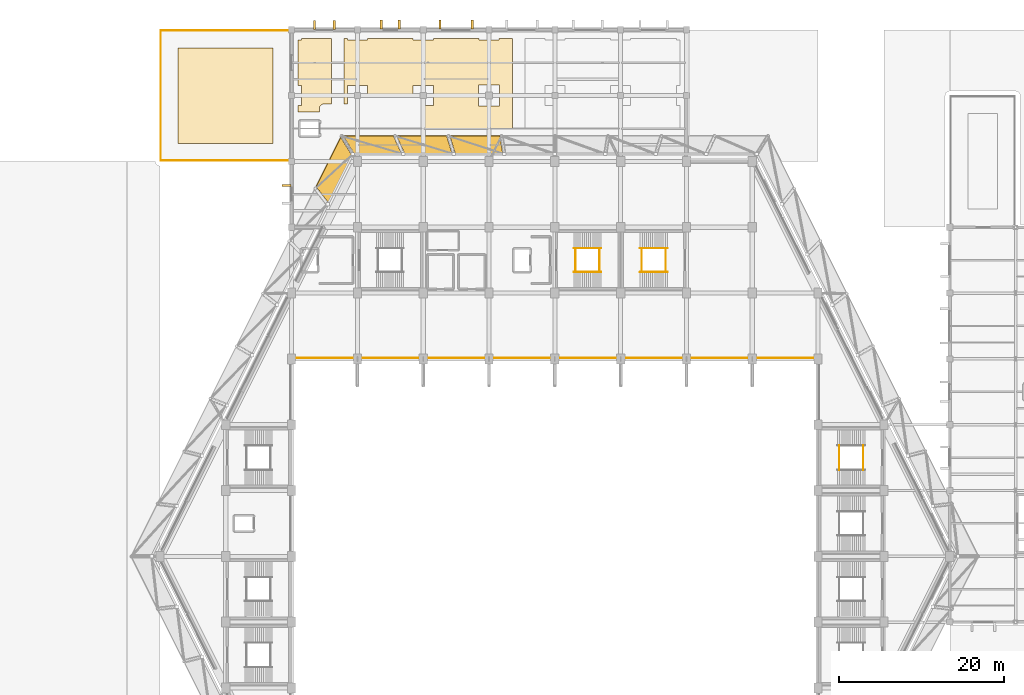
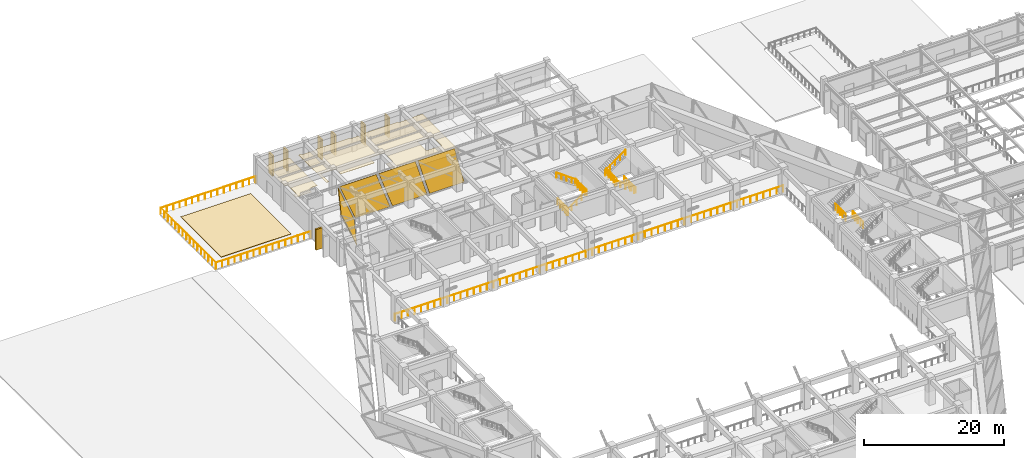
# One storey, part 44 of 46: 14 coverings, 14 railings.
"""IFC4 building model written with IfcOpenShell, lengths in metres."""

from ifc_helpers import new_model, si_unit, direction, frame, origin, origin_2d, place, context, subcontext, project, spatial, polyline, rectangle, circle, outline, extrude, material, layer, layer_set, type_object, element, save


model = new_model("IFC4")

# Units and contexts
model_context = context("Model", 3, precision=1e-05, world=origin(), true_north=direction((0.0, 1.0)))
body_context = subcontext(model_context, "Body", "Model", "MODEL_VIEW")
ifc_project = project(units=[si_unit("LENGTHUNIT", "METRE"), si_unit("AREAUNIT", "SQUARE_METRE"), si_unit("VOLUMEUNIT", "CUBIC_METRE"), si_unit("PLANEANGLEUNIT", "RADIAN"), si_unit("MASSUNIT", "GRAM", prefix="KILO")], contexts=[model_context])

# Site, building, storey
site_placement = place(None, origin())
site = spatial("IfcSite", under=ifc_project, at=site_placement, CompositionType="ELEMENT")
building_placement = place(site_placement, origin())
building = spatial("IfcBuilding", under=site, at=building_placement, Name="Tazarka Park Arena", CompositionType="ELEMENT")
storey_placement = place(building_placement, frame((0.0, 0.0, 10.199951171875)))
storey = spatial("IfcBuildingStorey", under=building, at=storey_placement, Name="L02", CompositionType="ELEMENT", Elevation=10.199951171875)

# Coverings
ifc_material_1 = material(Name="Dark ribbed perforated bronze-charcoal aluminium mesh", Category="aluminium")
ifc_layer_1 = layer(ifc_material_1, 0.06005859375, Name="Dark ribbed perforated bronze-charcoal aluminium mesh")
ifc_layer_set_1 = layer_set([ifc_layer_1], Name="Dark ribbed perforated bronze-charcoal aluminium mesh")
covering_type_1 = type_object("IfcCoveringType", Name="CLD-01", PredefinedType="CLADDING", material=ifc_layer_set_1)
covering_1_placement = place(storey_placement, frame((81.66455078125, 112.89990234375, 0.150146484375), z_axis=(0.0, -0.903917504801, 0.427706844128), x_axis=(-1.0, 0.0, 0.0)))
element("IfcCovering", 1, at=covering_1_placement, inside=storey, type_object=covering_type_1, Name="Folded Gem Lower Ribbed Mesh Facet 030", PredefinedType="CLADDING", context=body_context, shape_type="SweptSolid", body=[
    extrude(outline(polyline([(0.0, 0.0), (5.746337890625, 0.0), (6.4150390625, -5.144166717706446), (0.350830078125, -5.144166717706446), (0.0, 0.0)])), origin(), (0.0, 0.0, -1.0), 0.080078125),
])
covering_2_placement = place(storey_placement, frame((75.525390625, 112.89990234375, 0.150146484375), z_axis=(0.0, -0.903917504801, 0.427706844128), x_axis=(-1.0, 0.0, 0.0)))
element("IfcCovering", 2, at=covering_2_placement, inside=storey, type_object=covering_type_1, Name="Folded Gem Lower Ribbed Mesh Facet 031", PredefinedType="CLADDING", context=body_context, shape_type="SweptSolid", body=[
    extrude(outline(polyline([(0.0, 0.0), (5.74609375, 0.0), (6.7548828125, -5.144166717706446), (0.690673828125, -5.144166717706446), (0.0, 0.0)])), origin(), (0.0, 0.0, -1.0), 0.080078125),
])
covering_3_placement = place(storey_placement, frame((69.386474609375, 112.89990234375, 0.150146484375), z_axis=(0.0, -0.903917504801, 0.427706844128), x_axis=(-1.0, 0.0, 0.0)))
element("IfcCovering", 3, at=covering_3_placement, inside=storey, type_object=covering_type_1, Name="Folded Gem Lower Ribbed Mesh Facet 032", PredefinedType="CLADDING", context=body_context, shape_type="SweptSolid", body=[
    extrude(outline(polyline([(0.0, 0.0), (5.746337890625, 0.0), (7.094970703125, -5.144166717706446), (1.03076171875, -5.144166717706446), (0.0, 0.0)])), origin(), (0.0, 0.0, -1.0), 0.080078125),
])
covering_4_placement = place(storey_placement, frame((63.345947265625, 112.704345703125, 0.150146484375), z_axis=(0.808506336195, -0.404253168098, 0.427664448388), x_axis=(-0.4472135955, -0.894427191, 0.0)))
element("IfcCovering", 4, at=covering_4_placement, inside=storey, type_object=covering_type_1, Name="Folded Gem Lower Ribbed Mesh Facet 033", PredefinedType="CLADDING", context=body_context, shape_type="SweptSolid", body=[
    extrude(outline(polyline([(0.0, 0.0), (6.3964864483313075, 0.0), (5.334354159018908, -5.144052564035382), (-1.3498295120034132, -5.144052564035382), (0.0, 0.0)])), origin(), (0.0, 0.0, -1.0), 0.080078125),
])
for number, where, z_axis, x_axis, name in (
    (5, (74.044921875, 128.6298828125, 0.0), (0.0, 0.0, 1.0), (1.0, 0.0, 0.0), "Window Reveal Brise-Soleil Fin L02-0034-1"),
    (6, (77.955078125, 128.6298828125, 0.0), (0.0, 0.0, 1.0), (1.0, 0.0, 0.0), "Window Reveal Brise-Soleil Fin L02-0034-2"),
    (7, (66.89501953125, 128.639892578125, 0.0), (0.0, 0.0, 1.0), (1.0, 0.0, 0.0), "Window Reveal Brise-Soleil Fin L02-0035-1"),
    (8, (69.10498046875, 128.639892578125, 0.0), (0.0, 0.0, 1.0), (1.0, 0.0, 0.0), "Window Reveal Brise-Soleil Fin L02-0035-2"),
    (9, (58.794921875, 128.590087890625, 0.0), (0.0, 0.0, 1.0), (1.0, 0.0, 0.0), "Window Reveal Brise-Soleil Fin L02-0036-1"),
    (10, (61.205078125, 128.590087890625, 0.0), (0.0, 0.0, 1.0), (1.0, 0.0, 0.0), "Window Reveal Brise-Soleil Fin L02-0036-2"),
    (11, (55.385009765625, 109.080078125, 0.0), (0.0, 0.0, 1.0), (0.0, 1.0, 0.0), "Window Reveal Brise-Soleil Fin L02-0037-2"),
):
    element("IfcCovering", number, at=place(storey_placement, frame(where, z_axis=z_axis, x_axis=x_axis)), inside=storey, type_object=covering_type_1, Name=name, PredefinedType="CLADDING", context=body_context, shape_type="SweptSolid", body=[
        extrude(rectangle(XDim=0.280029296875, YDim=1.10009765625, at=origin_2d()), origin(), (0.0, 0.0, 1.0), 3.60009765625),
    ])
ifc_material_2 = material(Name="Perforated acoustic mineral-wool ceiling tile")
ifc_layer_2 = layer(ifc_material_2, 0.0400390625, Name="Perforated acoustic mineral-wool ceiling tile")
ifc_layer_set_2 = layer_set([ifc_layer_2], Name="Perforated acoustic mineral-wool ceiling tile")
covering_type_2 = type_object("IfcCoveringType", Name="CLG-01", PredefinedType="CEILING", material=ifc_layer_set_2)
covering_5_placement = place(storey_placement, frame((0.0, 0.0, 3.10009765625)))
element("IfcCovering", 12, at=covering_5_placement, inside=storey, type_object=covering_type_2, Name="Acoustic Ceiling Hospitality Suite 202 7", PredefinedType="CEILING", context=body_context, shape_type="SweptSolid", body=[
    extrude(outline(polyline([(62.77490234375, 126.949951171875), (62.77490234375, 126.77490234375), (65.22509765625, 126.77490234375), (65.22509765625, 126.949951171875), (70.77490234375, 126.949951171875), (70.77490234375, 126.77490234375), (73.22509765625, 126.77490234375), (73.22509765625, 126.949951171875), (78.77490234375, 126.949951171875), (78.77490234375, 126.77490234375), (81.22509765625, 126.77490234375), (81.22509765625, 126.949951171875), (82.85009765625, 126.949951171875), (82.85009765625, 115.949951171875), (72.10009765625, 115.949951171875), (72.10009765625, 118.77490234375), (73.22509765625, 118.77490234375), (73.22509765625, 121.22509765625), (70.77490234375, 121.22509765625), (70.77490234375, 119.800048828125), (65.22509765625, 119.800048828125), (65.22509765625, 121.22509765625), (62.77490234375, 121.22509765625), (62.77490234375, 118.989501953125), (62.35009765625, 118.98974609375), (62.35009765625, 126.949951171875), (62.77490234375, 126.949951171875)]), holes=[polyline([(78.72509765625, 121.27490234375), (78.72509765625, 118.72509765625), (81.27490234375, 118.72509765625), (81.27490234375, 121.27490234375), (78.72509765625, 121.27490234375)])]), origin(), (0.0, 0.0, 1.0), 0.0400390625),
])
ifc_material_3 = material(Name="Linear slatted timber-acoustic ceiling", Category="wood")
ifc_layer_3 = layer(ifc_material_3, 0.050048828125, Name="Linear slatted timber-acoustic ceiling")
ifc_layer_set_3 = layer_set([ifc_layer_3], Name="Linear slatted timber-acoustic ceiling")
covering_type_3 = type_object("IfcCoveringType", Name="CLG-02", PredefinedType="CEILING", material=ifc_layer_set_3)
covering_6_placement = place(storey_placement, frame((0.0, 0.0, 3.10009765625)))
element("IfcCovering", 13, at=covering_6_placement, inside=storey, type_object=covering_type_3, Name="Acoustic Ceiling Hospitality Suite 201 6", PredefinedType="CEILING", context=body_context, shape_type="SweptSolid", body=[
    extrude(outline(polyline([(59.93603515625, 118.9892578125), (59.89208984375, 118.987060546875), (59.848388671875, 118.980712890625), (59.8056640625, 118.969970703125), (59.76416015625, 118.955078125), (59.724365234375, 118.936279296875), (59.686279296875, 118.91357421875), (59.57666015625, 118.84033203125), (59.541259765625, 118.814208984375), (59.5087890625, 118.78466796875), (59.479248046875, 118.752197265625), (59.452880859375, 118.716796875), (59.430419921875, 118.67919921875), (59.411376953125, 118.6396484375), (59.396484375, 118.598388671875), (59.385498046875, 118.555908203125), (59.37890625, 118.512451171875), (59.37646484375, 118.468505859375), (59.373779296875, 118.0), (56.800048828125, 118.0), (56.800048828125, 118.77490234375), (57.22509765625, 118.77490234375), (57.22509765625, 121.22509765625), (56.800048828125, 121.22509765625), (56.800048828125, 126.77490234375), (57.22509765625, 126.77490234375), (57.22509765625, 126.949951171875), (60.85009765625, 126.949951171875), (60.85009765625, 118.98974609375), (59.93603515625, 118.9892578125)])), origin(), (0.0, 0.0, 1.0), 0.050048828125),
])

# Railings
ifc_material_4 = material(Name="Galvanised powder-coated architectural steel", Category="steel")
railing_type_1 = type_object("IfcRailingType", Name="GRD-01", PredefinedType="GUARDRAIL", material=ifc_material_4)
railing_1_placement = place(storey_placement, frame((40.10009765625, 112.10009765625, 0.0)))
element("IfcRailing", 14, at=railing_1_placement, inside=storey, type_object=railing_type_1, Name="Terrace Guardrail GR-01-L02-1-00", PredefinedType="GUARDRAIL", context=body_context, shape_type="SweptSolid", body=[
    extrude(circle(Radius=0.02392578125, at=origin_2d()), frame((0.0, 0.0, 1.09619140625), z_axis=(0.0, 1.0, 0.0), x_axis=(-1.0, 0.0, 0.0)), (0.0, 0.0, 1.0), 15.7998046875),
    extrude(circle(Radius=0.02099609375, at=origin_2d()), origin(), (0.0, 0.0, 1.0), 1.072021484375),
    extrude(circle(Radius=0.02099609375, at=origin_2d()), frame((0.0, 1.05322265625, 0.0)), (0.0, 0.0, 1.0), 1.072021484375),
    extrude(circle(Radius=0.02099609375, at=origin_2d()), frame((0.0, 2.106689453125, 0.0)), (0.0, 0.0, 1.0), 1.072021484375),
    extrude(circle(Radius=0.02099609375, at=origin_2d()), frame((0.0, 3.159912109375, 0.0)), (0.0, 0.0, 1.0), 1.072021484375),
    extrude(circle(Radius=0.02099609375, at=origin_2d()), frame((0.0, 4.21337890625, 0.0)), (0.0, 0.0, 1.0), 1.072021484375),
    extrude(circle(Radius=0.02099609375, at=origin_2d()), frame((0.0, 5.2666015625, 0.0)), (0.0, 0.0, 1.0), 1.072021484375),
    extrude(circle(Radius=0.02099609375, at=origin_2d()), frame((0.0, 6.31982421875, 0.0)), (0.0, 0.0, 1.0), 1.072021484375),
    extrude(circle(Radius=0.02099609375, at=origin_2d()), frame((0.0, 7.373291015625, 0.0)), (0.0, 0.0, 1.0), 1.072021484375),
    extrude(circle(Radius=0.02099609375, at=origin_2d()), frame((0.0, 8.426513671875, 0.0)), (0.0, 0.0, 1.0), 1.072021484375),
    extrude(circle(Radius=0.02099609375, at=origin_2d()), frame((0.0, 9.47998046875, 0.0)), (0.0, 0.0, 1.0), 1.072021484375),
    extrude(circle(Radius=0.02099609375, at=origin_2d()), frame((0.0, 10.533203125, 0.0)), (0.0, 0.0, 1.0), 1.072021484375),
    extrude(circle(Radius=0.02099609375, at=origin_2d()), frame((0.0, 11.58642578125, 0.0)), (0.0, 0.0, 1.0), 1.072021484375),
    extrude(circle(Radius=0.02099609375, at=origin_2d()), frame((0.0, 12.639892578125, 0.0)), (0.0, 0.0, 1.0), 1.072021484375),
    extrude(circle(Radius=0.02099609375, at=origin_2d()), frame((0.0, 13.693115234375, 0.0)), (0.0, 0.0, 1.0), 1.072021484375),
    extrude(circle(Radius=0.02099609375, at=origin_2d()), frame((0.0, 14.74658203125, 0.0)), (0.0, 0.0, 1.0), 1.072021484375),
    extrude(circle(Radius=0.02099609375, at=origin_2d()), frame((0.0, 15.7998046875, 0.0)), (0.0, 0.0, 1.0), 1.072021484375),
])
railing_2_placement = place(storey_placement, frame((40.10009765625, 127.89990234375, 0.0)))
element("IfcRailing", 15, at=railing_2_placement, inside=storey, type_object=railing_type_1, Name="Terrace Guardrail GR-01-L02-1-01", PredefinedType="GUARDRAIL", context=body_context, shape_type="SweptSolid", body=[
    extrude(circle(Radius=0.02392578125, at=origin_2d()), frame((0.0, 0.0, 1.09619140625), z_axis=(1.0, 0.0, 0.0), x_axis=(0.0, 1.0, 0.0)), (0.0, 0.0, 1.0), 15.679931640625),
    extrude(circle(Radius=0.02099609375, at=origin_2d()), origin(), (0.0, 0.0, 1.0), 1.072021484375),
    extrude(circle(Radius=0.02099609375, at=origin_2d()), frame((1.04541015625, 0.0, 0.0)), (0.0, 0.0, 1.0), 1.072021484375),
    extrude(circle(Radius=0.02099609375, at=origin_2d()), frame((2.090576171875, 0.0, 0.0)), (0.0, 0.0, 1.0), 1.072021484375),
    extrude(circle(Radius=0.02099609375, at=origin_2d()), frame((3.135986328125, 0.0, 0.0)), (0.0, 0.0, 1.0), 1.072021484375),
    extrude(circle(Radius=0.02099609375, at=origin_2d()), frame((4.181396484375, 0.0, 0.0)), (0.0, 0.0, 1.0), 1.072021484375),
    extrude(circle(Radius=0.02099609375, at=origin_2d()), frame((5.2265625, 0.0, 0.0)), (0.0, 0.0, 1.0), 1.072021484375),
    extrude(circle(Radius=0.02099609375, at=origin_2d()), frame((6.27197265625, 0.0, 0.0)), (0.0, 0.0, 1.0), 1.072021484375),
    extrude(circle(Radius=0.02099609375, at=origin_2d()), frame((7.3173828125, 0.0, 0.0)), (0.0, 0.0, 1.0), 1.072021484375),
    extrude(circle(Radius=0.02099609375, at=origin_2d()), frame((8.362548828125, 0.0, 0.0)), (0.0, 0.0, 1.0), 1.072021484375),
    extrude(circle(Radius=0.02099609375, at=origin_2d()), frame((9.407958984375, 0.0, 0.0)), (0.0, 0.0, 1.0), 1.072021484375),
    extrude(circle(Radius=0.02099609375, at=origin_2d()), frame((10.453369140625, 0.0, 0.0)), (0.0, 0.0, 1.0), 1.072021484375),
    extrude(circle(Radius=0.02099609375, at=origin_2d()), frame((11.49853515625, 0.0, 0.0)), (0.0, 0.0, 1.0), 1.072021484375),
    extrude(circle(Radius=0.02099609375, at=origin_2d()), frame((12.5439453125, 0.0, 0.0)), (0.0, 0.0, 1.0), 1.072021484375),
    extrude(circle(Radius=0.02099609375, at=origin_2d()), frame((13.58935546875, 0.0, 0.0)), (0.0, 0.0, 1.0), 1.072021484375),
    extrude(circle(Radius=0.02099609375, at=origin_2d()), frame((14.634521484375, 0.0, 0.0)), (0.0, 0.0, 1.0), 1.072021484375),
    extrude(circle(Radius=0.02099609375, at=origin_2d()), frame((15.679931640625, 0.0, 0.0)), (0.0, 0.0, 1.0), 1.072021484375),
])
railing_3_placement = place(storey_placement, frame((55.780029296875, 112.10009765625, 0.0)))
element("IfcRailing", 16, at=railing_3_placement, inside=storey, type_object=railing_type_1, Name="Terrace Guardrail GR-01-L02-1-03", PredefinedType="GUARDRAIL", context=body_context, shape_type="SweptSolid", body=[
    extrude(circle(Radius=0.02392578125, at=origin_2d()), frame((0.0, 0.0, 1.09619140625), z_axis=(-1.0, 0.0, 0.0), x_axis=(0.0, -1.0, 0.0)), (0.0, 0.0, 1.0), 15.679931640625),
    extrude(circle(Radius=0.02099609375, at=origin_2d()), origin(), (0.0, 0.0, 1.0), 1.072021484375),
    extrude(circle(Radius=0.02099609375, at=origin_2d()), frame((-1.04541015625, 0.0, 0.0)), (0.0, 0.0, 1.0), 1.072021484375),
    extrude(circle(Radius=0.02099609375, at=origin_2d()), frame((-2.090576171875, 0.0, 0.0)), (0.0, 0.0, 1.0), 1.072021484375),
    extrude(circle(Radius=0.02099609375, at=origin_2d()), frame((-3.135986328125, 0.0, 0.0)), (0.0, 0.0, 1.0), 1.072021484375),
    extrude(circle(Radius=0.02099609375, at=origin_2d()), frame((-4.181396484375, 0.0, 0.0)), (0.0, 0.0, 1.0), 1.072021484375),
    extrude(circle(Radius=0.02099609375, at=origin_2d()), frame((-5.2265625, 0.0, 0.0)), (0.0, 0.0, 1.0), 1.072021484375),
    extrude(circle(Radius=0.02099609375, at=origin_2d()), frame((-6.27197265625, 0.0, 0.0)), (0.0, 0.0, 1.0), 1.072021484375),
    extrude(circle(Radius=0.02099609375, at=origin_2d()), frame((-7.3173828125, 0.0, 0.0)), (0.0, 0.0, 1.0), 1.072021484375),
    extrude(circle(Radius=0.02099609375, at=origin_2d()), frame((-8.362548828125, 0.0, 0.0)), (0.0, 0.0, 1.0), 1.072021484375),
    extrude(circle(Radius=0.02099609375, at=origin_2d()), frame((-9.407958984375, 0.0, 0.0)), (0.0, 0.0, 1.0), 1.072021484375),
    extrude(circle(Radius=0.02099609375, at=origin_2d()), frame((-10.453369140625, 0.0, 0.0)), (0.0, 0.0, 1.0), 1.072021484375),
    extrude(circle(Radius=0.02099609375, at=origin_2d()), frame((-11.49853515625, 0.0, 0.0)), (0.0, 0.0, 1.0), 1.072021484375),
    extrude(circle(Radius=0.02099609375, at=origin_2d()), frame((-12.5439453125, 0.0, 0.0)), (0.0, 0.0, 1.0), 1.072021484375),
    extrude(circle(Radius=0.02099609375, at=origin_2d()), frame((-13.58935546875, 0.0, 0.0)), (0.0, 0.0, 1.0), 1.072021484375),
    extrude(circle(Radius=0.02099609375, at=origin_2d()), frame((-14.634521484375, 0.0, 0.0)), (0.0, 0.0, 1.0), 1.072021484375),
    extrude(circle(Radius=0.02099609375, at=origin_2d()), frame((-15.679931640625, 0.0, 0.0)), (0.0, 0.0, 1.0), 1.072021484375),
])
ifc_material_5 = material(Name="Brushed architectural stainless steel", Category="steel")
railing_type_2 = type_object("IfcRailingType", Name="HR-01", PredefinedType="HANDRAIL", material=ifc_material_5)
railing_4_placement = place(storey_placement, frame((101.68505859375, 98.550048828125, 0.0)))
element("IfcRailing", 17, at=railing_4_placement, inside=storey, type_object=railing_type_2, Name="Stair Handrail ST10-L02-F1", PredefinedType="HANDRAIL", context=body_context, shape_type="SweptSolid", body=[
    extrude(circle(Radius=0.02392578125, at=origin_2d()), frame((0.0, 0.0, 0.89599609375), z_axis=(-0.809980229442, 0.0, 0.586457183359), x_axis=(0.0, -1.0, 0.0)), (0.0, 0.0, 1.0), 4.092529296875),
    extrude(circle(Radius=0.02099609375, at=origin_2d()), origin(), (0.0, 0.0, 1.0), 0.871826171875),
    extrude(circle(Radius=0.02099609375, at=origin_2d()), frame((-0.82861328125, 0.0, 0.60009765625)), (0.0, 0.0, 1.0), 0.871826171875),
    extrude(circle(Radius=0.02099609375, at=origin_2d()), frame((-1.657470703125, 0.0, 1.2001953125)), (0.0, 0.0, 1.0), 0.871826171875),
    extrude(circle(Radius=0.02099609375, at=origin_2d()), frame((-2.486328125, 0.0, 1.800048828125)), (0.0, 0.0, 1.0), 0.871826171875),
    extrude(circle(Radius=0.02099609375, at=origin_2d()), frame((-3.31494140625, 0.0, 2.400146484375)), (0.0, 0.0, 1.0), 0.871826171875),
])
railing_5_placement = place(storey_placement, frame((98.3701171875, 101.449951171875, 2.400146484375)))
element("IfcRailing", 18, at=railing_5_placement, inside=storey, type_object=railing_type_2, Name="Stair Handrail ST10-L02-F2", PredefinedType="HANDRAIL", context=body_context, shape_type="SweptSolid", body=[
    extrude(circle(Radius=0.02392578125, at=origin_2d()), frame((0.0, 0.0, 0.89599609375), z_axis=(0.810008566192, 0.0, 0.586418044312), x_axis=(0.0, 1.0, 0.0)), (0.0, 0.0, 1.0), 4.092529296875),
    extrude(circle(Radius=0.02099609375, at=origin_2d()), origin(), (0.0, 0.0, 1.0), 0.871826171875),
    extrude(circle(Radius=0.02099609375, at=origin_2d()), frame((0.82861328125, 0.0, 0.60009765625)), (0.0, 0.0, 1.0), 0.871826171875),
    extrude(circle(Radius=0.02099609375, at=origin_2d()), frame((1.657470703125, 0.0, 1.199951171875)), (0.0, 0.0, 1.0), 0.871826171875),
    extrude(circle(Radius=0.02099609375, at=origin_2d()), frame((2.486328125, 0.0, 1.7998046875)), (0.0, 0.0, 1.0), 0.871826171875),
    extrude(circle(Radius=0.02099609375, at=origin_2d()), frame((3.31494140625, 0.0, 2.39990234375)), (0.0, 0.0, 1.0), 0.871826171875),
])
railing_6_placement = place(storey_placement, frame((90.31494140625, 98.550048828125, 0.0)))
element("IfcRailing", 19, at=railing_6_placement, inside=storey, type_object=railing_type_2, Name="Stair Handrail ST15-L02-F1", PredefinedType="HANDRAIL", context=body_context, shape_type="SweptSolid", body=[
    extrude(circle(Radius=0.02392578125, at=origin_2d()), frame((0.0, 0.0, 0.89599609375), z_axis=(0.809980229442, 0.0, 0.586457183359), x_axis=(0.0, 1.0, 0.0)), (0.0, 0.0, 1.0), 4.092529296875),
    extrude(circle(Radius=0.02099609375, at=origin_2d()), origin(), (0.0, 0.0, 1.0), 0.871826171875),
    extrude(circle(Radius=0.02099609375, at=origin_2d()), frame((0.82861328125, 0.0, 0.60009765625)), (0.0, 0.0, 1.0), 0.871826171875),
    extrude(circle(Radius=0.02099609375, at=origin_2d()), frame((1.657470703125, 0.0, 1.2001953125)), (0.0, 0.0, 1.0), 0.871826171875),
    extrude(circle(Radius=0.02099609375, at=origin_2d()), frame((2.486328125, 0.0, 1.800048828125)), (0.0, 0.0, 1.0), 0.871826171875),
    extrude(circle(Radius=0.02099609375, at=origin_2d()), frame((3.31494140625, 0.0, 2.400146484375)), (0.0, 0.0, 1.0), 0.871826171875),
])
railing_7_placement = place(storey_placement, frame((93.6298828125, 101.449951171875, 2.400146484375)))
element("IfcRailing", 20, at=railing_7_placement, inside=storey, type_object=railing_type_2, Name="Stair Handrail ST15-L02-F2", PredefinedType="HANDRAIL", context=body_context, shape_type="SweptSolid", body=[
    extrude(circle(Radius=0.02392578125, at=origin_2d()), frame((0.0, 0.0, 0.89599609375), z_axis=(-0.810008566192, 0.0, 0.586418044312), x_axis=(0.0, -1.0, 0.0)), (0.0, 0.0, 1.0), 4.092529296875),
    extrude(circle(Radius=0.02099609375, at=origin_2d()), origin(), (0.0, 0.0, 1.0), 0.871826171875),
    extrude(circle(Radius=0.02099609375, at=origin_2d()), frame((-0.82861328125, 0.0, 0.60009765625)), (0.0, 0.0, 1.0), 0.871826171875),
    extrude(circle(Radius=0.02099609375, at=origin_2d()), frame((-1.657470703125, 0.0, 1.199951171875)), (0.0, 0.0, 1.0), 0.871826171875),
    extrude(circle(Radius=0.02099609375, at=origin_2d()), frame((-2.486328125, 0.0, 1.7998046875)), (0.0, 0.0, 1.0), 0.871826171875),
    extrude(circle(Radius=0.02099609375, at=origin_2d()), frame((-3.31494140625, 0.0, 2.39990234375)), (0.0, 0.0, 1.0), 0.871826171875),
])
ifc_material_6 = material(Name="Galvanised powder-coated architectural steel", Category="steel")
railing_type_3 = type_object("IfcRailingType", Name="IGR-01", PredefinedType="GUARDRAIL", material=ifc_material_6)
for number, where, name in (
    (21, (101.485107421875, 98.550048828125, 0.0), "Stair Well Guardrail ST10-L02"),
    (22, (98.570068359375, 98.550048828125, 2.400146484375), "Landing Guardrail ST10-L02-M"),
    (23, (90.514892578125, 98.550048828125, 0.0), "Stair Well Guardrail ST15-L02"),
    (24, (93.429931640625, 98.550048828125, 2.400146484375), "Landing Guardrail ST15-L02-M"),
):
    element("IfcRailing", number, at=place(storey_placement, frame(where)), inside=storey, type_object=railing_type_3, Name=name, PredefinedType="GUARDRAIL", context=body_context, shape_type="SweptSolid", body=[
        extrude(circle(Radius=0.02392578125, at=origin_2d()), frame((0.0, 0.0, 1.1259765625), z_axis=(0.0, 1.0, 0.0), x_axis=(-1.0, 0.0, 0.0)), (0.0, 0.0, 1.0), 2.89990234375),
        extrude(circle(Radius=0.02099609375, at=origin_2d()), origin(), (0.0, 0.0, 1.0), 1.101806640625),
        extrude(circle(Radius=0.02099609375, at=origin_2d()), frame((0.0, 0.72509765625, 0.0)), (0.0, 0.0, 1.0), 1.101806640625),
        extrude(circle(Radius=0.02099609375, at=origin_2d()), frame((0.0, 1.449951171875, 0.0)), (0.0, 0.0, 1.0), 1.101806640625),
        extrude(circle(Radius=0.02099609375, at=origin_2d()), frame((0.0, 2.1748046875, 0.0)), (0.0, 0.0, 1.0), 1.101806640625),
        extrude(circle(Radius=0.02099609375, at=origin_2d()), frame((0.0, 2.89990234375, 0.0)), (0.0, 0.0, 1.0), 1.101806640625),
    ])
for number, where, name in (
    (25, (125.485107421875, 74.510009765625, 0.0), "Stair Well Guardrail ST22-L02"),
    (26, (122.570068359375, 74.510009765625, 2.400146484375), "Landing Guardrail ST22-L02-M"),
):
    element("IfcRailing", number, at=place(storey_placement, frame(where)), inside=storey, type_object=railing_type_3, Name=name, PredefinedType="GUARDRAIL", context=body_context, shape_type="SweptSolid", body=[
        extrude(circle(Radius=0.02392578125, at=origin_2d()), frame((0.0, 0.0, 1.1259765625), z_axis=(0.0, 1.0, 0.0), x_axis=(-1.0, 0.0, 0.0)), (0.0, 0.0, 1.0), 2.97998046875),
        extrude(circle(Radius=0.02099609375, at=origin_2d()), origin(), (0.0, 0.0, 1.0), 1.101806640625),
        extrude(circle(Radius=0.02099609375, at=origin_2d()), frame((0.0, 0.7451171875, 0.0)), (0.0, 0.0, 1.0), 1.101806640625),
        extrude(circle(Radius=0.02099609375, at=origin_2d()), frame((0.0, 1.489990234375, 0.0)), (0.0, 0.0, 1.0), 1.101806640625),
        extrude(circle(Radius=0.02099609375, at=origin_2d()), frame((0.0, 2.23486328125, 0.0)), (0.0, 0.0, 1.0), 1.101806640625),
        extrude(circle(Radius=0.02099609375, at=origin_2d()), frame((0.0, 2.97998046875, 0.0)), (0.0, 0.0, 1.0), 1.101806640625),
    ])
railing_8_placement = place(storey_placement, frame((55.8798828125, 88.1201171875, 0.0)))
element("IfcRailing", 27, at=railing_8_placement, inside=storey, type_object=railing_type_3, Name="Interior Barrier Guardrail IGR-01-008", PredefinedType="GUARDRAIL", context=body_context, shape_type="SweptSolid", body=[
    extrude(circle(Radius=0.02392578125, at=origin_2d()), frame((0.0, 0.0, 1.1259765625), z_axis=(1.0, 0.0, 0.0), x_axis=(0.0, 1.0, 0.0)), (0.0, 0.0, 1.0), 64.240234375),
    extrude(circle(Radius=0.02099609375, at=origin_2d()), origin(), (0.0, 0.0, 1.0), 1.101806640625),
    extrude(circle(Radius=0.02099609375, at=origin_2d()), frame((1.0888671875, 0.0, 0.0)), (0.0, 0.0, 1.0), 1.101806640625),
    extrude(circle(Radius=0.02099609375, at=origin_2d()), frame((2.177734375, 0.0, 0.0)), (0.0, 0.0, 1.0), 1.101806640625),
    extrude(circle(Radius=0.02099609375, at=origin_2d()), frame((3.266357421875, 0.0, 0.0)), (0.0, 0.0, 1.0), 1.101806640625),
    extrude(circle(Radius=0.02099609375, at=origin_2d()), frame((4.355224609375, 0.0, 0.0)), (0.0, 0.0, 1.0), 1.101806640625),
    extrude(circle(Radius=0.02099609375, at=origin_2d()), frame((5.444091796875, 0.0, 0.0)), (0.0, 0.0, 1.0), 1.101806640625),
    extrude(circle(Radius=0.02099609375, at=origin_2d()), frame((6.532958984375, 0.0, 0.0)), (0.0, 0.0, 1.0), 1.101806640625),
    extrude(circle(Radius=0.02099609375, at=origin_2d()), frame((7.621826171875, 0.0, 0.0)), (0.0, 0.0, 1.0), 1.101806640625),
    extrude(circle(Radius=0.02099609375, at=origin_2d()), frame((8.71044921875, 0.0, 0.0)), (0.0, 0.0, 1.0), 1.101806640625),
    extrude(circle(Radius=0.02099609375, at=origin_2d()), frame((9.79931640625, 0.0, 0.0)), (0.0, 0.0, 1.0), 1.101806640625),
    extrude(circle(Radius=0.02099609375, at=origin_2d()), frame((10.88818359375, 0.0, 0.0)), (0.0, 0.0, 1.0), 1.101806640625),
    extrude(circle(Radius=0.02099609375, at=origin_2d()), frame((11.97705078125, 0.0, 0.0)), (0.0, 0.0, 1.0), 1.101806640625),
    extrude(circle(Radius=0.02099609375, at=origin_2d()), frame((13.06591796875, 0.0, 0.0)), (0.0, 0.0, 1.0), 1.101806640625),
    extrude(circle(Radius=0.02099609375, at=origin_2d()), frame((14.154541015625, 0.0, 0.0)), (0.0, 0.0, 1.0), 1.101806640625),
    extrude(circle(Radius=0.02099609375, at=origin_2d()), frame((15.243408203125, 0.0, 0.0)), (0.0, 0.0, 1.0), 1.101806640625),
    extrude(circle(Radius=0.02099609375, at=origin_2d()), frame((16.332275390625, 0.0, 0.0)), (0.0, 0.0, 1.0), 1.101806640625),
    extrude(circle(Radius=0.02099609375, at=origin_2d()), frame((17.421142578125, 0.0, 0.0)), (0.0, 0.0, 1.0), 1.101806640625),
    extrude(circle(Radius=0.02099609375, at=origin_2d()), frame((18.510009765625, 0.0, 0.0)), (0.0, 0.0, 1.0), 1.101806640625),
    extrude(circle(Radius=0.02099609375, at=origin_2d()), frame((19.5986328125, 0.0, 0.0)), (0.0, 0.0, 1.0), 1.101806640625),
    extrude(circle(Radius=0.02099609375, at=origin_2d()), frame((20.6875, 0.0, 0.0)), (0.0, 0.0, 1.0), 1.101806640625),
    extrude(circle(Radius=0.02099609375, at=origin_2d()), frame((21.7763671875, 0.0, 0.0)), (0.0, 0.0, 1.0), 1.101806640625),
    extrude(circle(Radius=0.02099609375, at=origin_2d()), frame((22.865234375, 0.0, 0.0)), (0.0, 0.0, 1.0), 1.101806640625),
    extrude(circle(Radius=0.02099609375, at=origin_2d()), frame((23.9541015625, 0.0, 0.0)), (0.0, 0.0, 1.0), 1.101806640625),
    extrude(circle(Radius=0.02099609375, at=origin_2d()), frame((25.042724609375, 0.0, 0.0)), (0.0, 0.0, 1.0), 1.101806640625),
    extrude(circle(Radius=0.02099609375, at=origin_2d()), frame((26.131591796875, 0.0, 0.0)), (0.0, 0.0, 1.0), 1.101806640625),
    extrude(circle(Radius=0.02099609375, at=origin_2d()), frame((27.220458984375, 0.0, 0.0)), (0.0, 0.0, 1.0), 1.101806640625),
    extrude(circle(Radius=0.02099609375, at=origin_2d()), frame((28.309326171875, 0.0, 0.0)), (0.0, 0.0, 1.0), 1.101806640625),
    extrude(circle(Radius=0.02099609375, at=origin_2d()), frame((29.398193359375, 0.0, 0.0)), (0.0, 0.0, 1.0), 1.101806640625),
    extrude(circle(Radius=0.02099609375, at=origin_2d()), frame((30.48681640625, 0.0, 0.0)), (0.0, 0.0, 1.0), 1.101806640625),
    extrude(circle(Radius=0.02099609375, at=origin_2d()), frame((31.57568359375, 0.0, 0.0)), (0.0, 0.0, 1.0), 1.101806640625),
    extrude(circle(Radius=0.02099609375, at=origin_2d()), frame((32.66455078125, 0.0, 0.0)), (0.0, 0.0, 1.0), 1.101806640625),
    extrude(circle(Radius=0.02099609375, at=origin_2d()), frame((33.75341796875, 0.0, 0.0)), (0.0, 0.0, 1.0), 1.101806640625),
    extrude(circle(Radius=0.02099609375, at=origin_2d()), frame((34.842041015625, 0.0, 0.0)), (0.0, 0.0, 1.0), 1.101806640625),
    extrude(circle(Radius=0.02099609375, at=origin_2d()), frame((35.930908203125, 0.0, 0.0)), (0.0, 0.0, 1.0), 1.101806640625),
    extrude(circle(Radius=0.02099609375, at=origin_2d()), frame((37.019775390625, 0.0, 0.0)), (0.0, 0.0, 1.0), 1.101806640625),
    extrude(circle(Radius=0.02099609375, at=origin_2d()), frame((38.108642578125, 0.0, 0.0)), (0.0, 0.0, 1.0), 1.101806640625),
    extrude(circle(Radius=0.02099609375, at=origin_2d()), frame((39.197509765625, 0.0, 0.0)), (0.0, 0.0, 1.0), 1.101806640625),
    extrude(circle(Radius=0.02099609375, at=origin_2d()), frame((40.2861328125, 0.0, 0.0)), (0.0, 0.0, 1.0), 1.101806640625),
    extrude(circle(Radius=0.02099609375, at=origin_2d()), frame((41.375, 0.0, 0.0)), (0.0, 0.0, 1.0), 1.101806640625),
    extrude(circle(Radius=0.02099609375, at=origin_2d()), frame((42.4638671875, 0.0, 0.0)), (0.0, 0.0, 1.0), 1.101806640625),
    extrude(circle(Radius=0.02099609375, at=origin_2d()), frame((43.552734375, 0.0, 0.0)), (0.0, 0.0, 1.0), 1.101806640625),
    extrude(circle(Radius=0.02099609375, at=origin_2d()), frame((44.6416015625, 0.0, 0.0)), (0.0, 0.0, 1.0), 1.101806640625),
    extrude(circle(Radius=0.02099609375, at=origin_2d()), frame((45.730224609375, 0.0, 0.0)), (0.0, 0.0, 1.0), 1.101806640625),
    extrude(circle(Radius=0.02099609375, at=origin_2d()), frame((46.819091796875, 0.0, 0.0)), (0.0, 0.0, 1.0), 1.101806640625),
    extrude(circle(Radius=0.02099609375, at=origin_2d()), frame((47.907958984375, 0.0, 0.0)), (0.0, 0.0, 1.0), 1.101806640625),
    extrude(circle(Radius=0.02099609375, at=origin_2d()), frame((48.996826171875, 0.0, 0.0)), (0.0, 0.0, 1.0), 1.101806640625),
    extrude(circle(Radius=0.02099609375, at=origin_2d()), frame((50.085693359375, 0.0, 0.0)), (0.0, 0.0, 1.0), 1.101806640625),
    extrude(circle(Radius=0.02099609375, at=origin_2d()), frame((51.17431640625, 0.0, 0.0)), (0.0, 0.0, 1.0), 1.101806640625),
    extrude(circle(Radius=0.02099609375, at=origin_2d()), frame((52.26318359375, 0.0, 0.0)), (0.0, 0.0, 1.0), 1.101806640625),
    extrude(circle(Radius=0.02099609375, at=origin_2d()), frame((53.35205078125, 0.0, 0.0)), (0.0, 0.0, 1.0), 1.101806640625),
    extrude(circle(Radius=0.02099609375, at=origin_2d()), frame((54.44091796875, 0.0, 0.0)), (0.0, 0.0, 1.0), 1.101806640625),
    extrude(circle(Radius=0.02099609375, at=origin_2d()), frame((55.52978515625, 0.0, 0.0)), (0.0, 0.0, 1.0), 1.101806640625),
    extrude(circle(Radius=0.02099609375, at=origin_2d()), frame((56.618408203125, 0.0, 0.0)), (0.0, 0.0, 1.0), 1.101806640625),
    extrude(circle(Radius=0.02099609375, at=origin_2d()), frame((57.707275390625, 0.0, 0.0)), (0.0, 0.0, 1.0), 1.101806640625),
    extrude(circle(Radius=0.02099609375, at=origin_2d()), frame((58.796142578125, 0.0, 0.0)), (0.0, 0.0, 1.0), 1.101806640625),
    extrude(circle(Radius=0.02099609375, at=origin_2d()), frame((59.885009765625, 0.0, 0.0)), (0.0, 0.0, 1.0), 1.101806640625),
    extrude(circle(Radius=0.02099609375, at=origin_2d()), frame((60.973876953125, 0.0, 0.0)), (0.0, 0.0, 1.0), 1.101806640625),
    extrude(circle(Radius=0.02099609375, at=origin_2d()), frame((62.0625, 0.0, 0.0)), (0.0, 0.0, 1.0), 1.101806640625),
    extrude(circle(Radius=0.02099609375, at=origin_2d()), frame((63.1513671875, 0.0, 0.0)), (0.0, 0.0, 1.0), 1.101806640625),
    extrude(circle(Radius=0.02099609375, at=origin_2d()), frame((64.240234375, 0.0, 0.0)), (0.0, 0.0, 1.0), 1.101806640625),
])

# Covering
ifc_material_7 = material(Name="Planted extensive sedum green-roof build-up")
ifc_layer_4 = layer(ifc_material_7, 0.080078125, Name="Planted extensive sedum green-roof build-up")
ifc_layer_set_4 = layer_set([ifc_layer_4], Name="Planted extensive sedum green-roof build-up")
covering_type_4 = type_object("IfcCoveringType", Name="RFG-02", PredefinedType="ROOFING", material=ifc_layer_set_4)
covering_7_placement = place(storey_placement, origin())
element("IfcCovering", 28, at=covering_7_placement, inside=storey, type_object=covering_type_4, Name="Planted Roof Garden Bed L02-1", PredefinedType="ROOFING", context=body_context, shape_type="SweptSolid", body=[
    extrude(outline(polyline([(42.199951171875, 114.199951171875), (42.199951171875, 125.800048828125), (53.760009765625, 125.800048828125), (53.760009765625, 114.199951171875), (42.199951171875, 114.199951171875)])), origin(), (0.0, 0.0, 1.0), 0.080078125),
])

save(model, "model.ifc")
